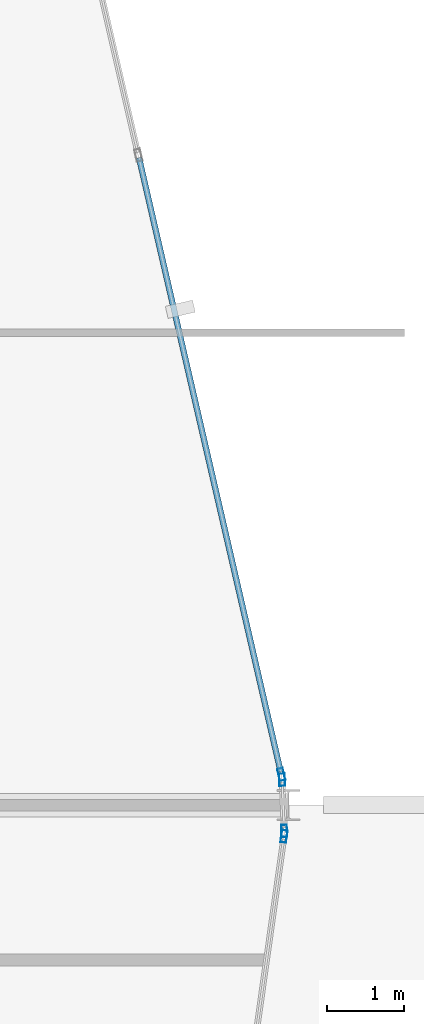
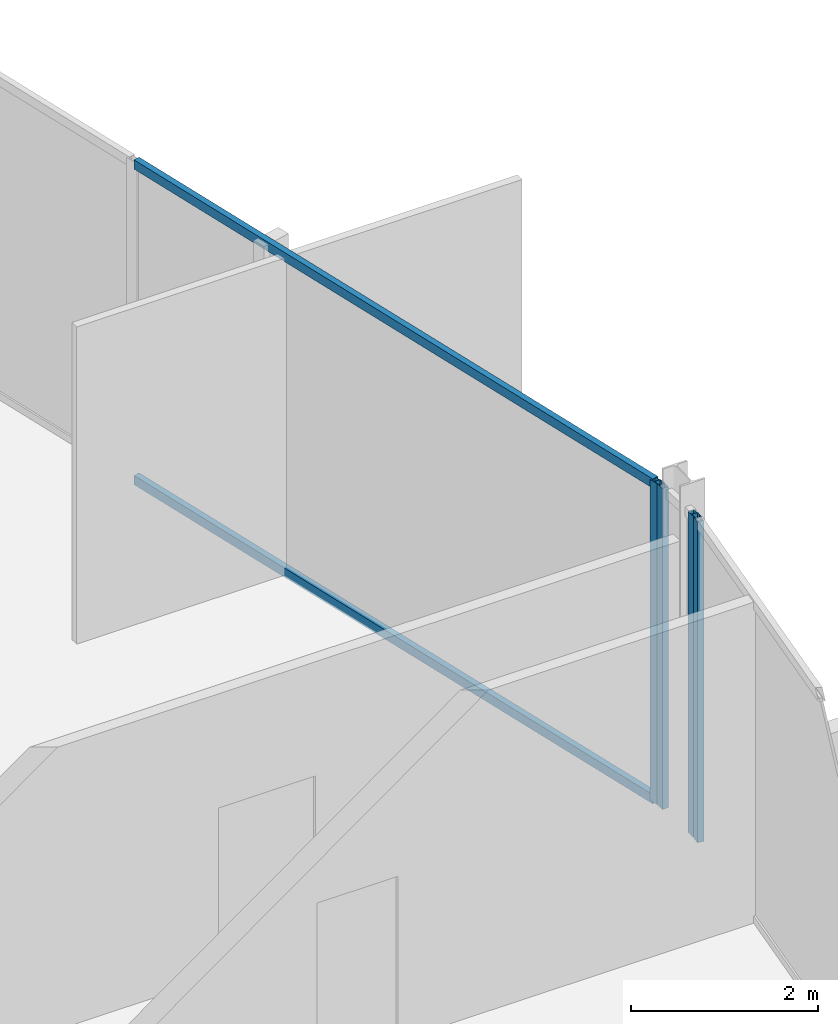
# One storey, part 11 of 24: 6 members, 3 elements without a shape of their own.
"""IFC4 building model written with IfcOpenShell, lengths in metres."""

from ifc_helpers import new_model, si_unit, direction, frame, origin, origin_2d, place, context, subcontext, project, spatial, hollow_rectangle, extrude, material, layer, layer_set, material_profile, profile_set, type_object, element, aggregate, save


model = new_model("IFC4")

# Units and contexts
model_context = context("Model", 3, precision=1e-05, world=origin(), true_north=direction((0.0, 1.0)))
body_context = subcontext(model_context, "Body", "Model", "MODEL_VIEW")
ifc_project = project(units=[si_unit("LENGTHUNIT", "METRE"), si_unit("AREAUNIT", "SQUARE_METRE"), si_unit("VOLUMEUNIT", "CUBIC_METRE"), si_unit("PLANEANGLEUNIT", "RADIAN"), si_unit("MASSUNIT", "GRAM", prefix="KILO")], contexts=[model_context])

# Site, building, storey
site_placement = place(None, origin())
site = spatial("IfcSite", under=ifc_project, at=site_placement, CompositionType="ELEMENT")
building_placement = place(site_placement, origin())
building = spatial("IfcBuilding", under=site, at=building_placement, Name="Keshet Zoharim Tower", CompositionType="ELEMENT")
storey_placement = place(building_placement, frame((0.0, 0.0, 242.800048828125)))
storey = spatial("IfcBuildingStorey", under=building, at=storey_placement, Name="L60", CompositionType="ELEMENT", Elevation=242.800048828125)

# Curtain wall, member
ifc_material = material(Name="Aluminium 6063-T6", Category="aluminium")
ifc_layer = layer(ifc_material, 0.260009765625)
ifc_layer_set = layer_set([ifc_layer], Name="Aluminium 6063-T6")
curtain_wall_type = type_object("IfcCurtainWallType", Name="CW-SYS-06", PredefinedType="NOTDEFINED", material=ifc_layer_set)
curtain_wall_1_placement = place(storey_placement, origin())
curtain_wall_1 = element("IfcCurtainWall", 1, at=curtain_wall_1_placement, inside=storey, type_object=curtain_wall_type, Name="L60 Unitised Curtain Wall 09", PredefinedType="NOTDEFINED")
ifc_material_profile_1 = material_profile(ifc_material, hollow_rectangle(XDim=0.074951171875, YDim=0.159912109375, WallThickness=0.00390625, at=origin_2d()), Name="MUL-75x160")
ifc_profile_set_1 = profile_set([ifc_material_profile_1], Name="Aluminium 6063-T6")
member_type_1 = type_object("IfcMemberType", Name="CWM-M15", PredefinedType="MULLION", material=ifc_profile_set_1)
member_1_placement = place(storey_placement, frame((44.908203125, 28.296142578125, 0.0), z_axis=(0.0, 0.0, 1.0), x_axis=(0.974398012932, 0.224829963294, 0.0)))
member_1 = element("IfcMember", 2, at=member_1_placement, type_object=member_type_1, Name="CW-06 mullion 4", PredefinedType="MULLION", context=body_context, shape_type="SweptSolid", body=[
    extrude(hollow_rectangle(XDim=0.074951171875, YDim=0.159912109375, WallThickness=0.00390625, at=origin_2d()), origin(), (0.0, 0.0, 1.0), 4.18994140625),
])

# Curtain wall, members
curtain_wall_2_placement = place(storey_placement, origin())
curtain_wall_2 = element("IfcCurtainWall", 3, at=curtain_wall_2_placement, inside=storey, type_object=curtain_wall_type, Name="L60 Unitised Curtain Wall 10", PredefinedType="NOTDEFINED")
member_2_placement = place(storey_placement, frame((44.91748046875, 28.22705078125, 0.0), z_axis=(0.0, 0.0, 1.0), x_axis=(0.999040601801, 0.043793560626, 0.0)))
member_2 = element("IfcMember", 4, at=member_2_placement, type_object=member_type_1, Name="CW-06 mullion 1", PredefinedType="MULLION", context=body_context, shape_type="SweptSolid", body=[
    extrude(hollow_rectangle(XDim=0.074951171875, YDim=0.159912109375, WallThickness=0.00390625, at=origin_2d()), origin(), (0.0, 0.0, 1.0), 4.18994140625),
])
member_3_placement = place(storey_placement, frame((44.946533203125, 27.56689453125, 0.0), z_axis=(0.0, 0.0, 1.0), x_axis=(0.999040601801, 0.043793560626, 0.0)))
member_3 = element("IfcMember", 5, at=member_3_placement, type_object=member_type_1, Name="CW-06 mullion 2", PredefinedType="MULLION", context=body_context, shape_type="SweptSolid", body=[
    extrude(hollow_rectangle(XDim=0.074951171875, YDim=0.159912109375, WallThickness=0.00390625, at=origin_2d()), origin(), (0.0, 0.0, 1.0), 4.18994140625),
])
aggregate(curtain_wall_2, [member_2, member_3])

# Curtain wall, member
curtain_wall_3_placement = place(storey_placement, origin())
curtain_wall_3 = element("IfcCurtainWall", 6, at=curtain_wall_3_placement, inside=storey, type_object=curtain_wall_type, Name="L60 Unitised Curtain Wall 11", PredefinedType="NOTDEFINED")
member_4_placement = place(storey_placement, frame((44.943115234375, 27.497314453125, 0.0), z_axis=(0.0, 0.0, 1.0), x_axis=(0.990132057422, -0.140137464177, 0.0)))
member_4 = element("IfcMember", 7, at=member_4_placement, type_object=member_type_1, Name="CW-06 mullion 1", PredefinedType="MULLION", context=body_context, shape_type="SweptSolid", body=[
    extrude(hollow_rectangle(XDim=0.074951171875, YDim=0.159912109375, WallThickness=0.00390625, at=origin_2d()), origin(), (0.0, 0.0, 1.0), 4.18994140625),
])
aggregate(curtain_wall_3, [member_4])

# Member
ifc_material_profile_2 = material_profile(ifc_material, hollow_rectangle(XDim=0.074951171875, YDim=0.1201171875, WallThickness=0.00390625, at=origin_2d()), Name="TRN-75x120")
ifc_profile_set_2 = profile_set([ifc_material_profile_2], Name="Aluminium 6063-T6")
member_type_2 = type_object("IfcMemberType", Name="CWT-T12", PredefinedType="USERDEFINED", material=ifc_profile_set_2)
member_5_placement = place(storey_placement, frame((43.0712890625, 36.25732421875, 0.034912109375), z_axis=(0.224806904107, -0.974403333259, 0.0), x_axis=(0.974403333259, 0.224806904107, 0.0)))
member_5 = element("IfcMember", 8, at=member_5_placement, type_object=member_type_2, Name="CW-06 transom 3.1", ObjectType="TRANSOM", PredefinedType="USERDEFINED", context=body_context, shape_type="SweptSolid", body=[
    extrude(hollow_rectangle(XDim=0.074951171875, YDim=0.1201171875, WallThickness=0.00390625, at=origin_2d()), origin(), (0.0, 0.0, 1.0), 8.13525390625),
])

member_6_placement = place(storey_placement, frame((43.0712890625, 36.25732421875, 4.155029296875), z_axis=(0.224806904107, -0.974403333259, 0.0), x_axis=(0.974403333259, 0.224806904107, 0.0)))
member_6 = element("IfcMember", 9, at=member_6_placement, type_object=member_type_2, Name="CW-06 transom 3.2", ObjectType="TRANSOM", PredefinedType="USERDEFINED", context=body_context, shape_type="SweptSolid", body=[
    extrude(hollow_rectangle(XDim=0.074951171875, YDim=0.1201171875, WallThickness=0.00390625, at=origin_2d()), origin(), (0.0, 0.0, 1.0), 8.13525390625),
])

aggregate(curtain_wall_1, [member_1, member_5, member_6])

save(model, "model.ifc")
